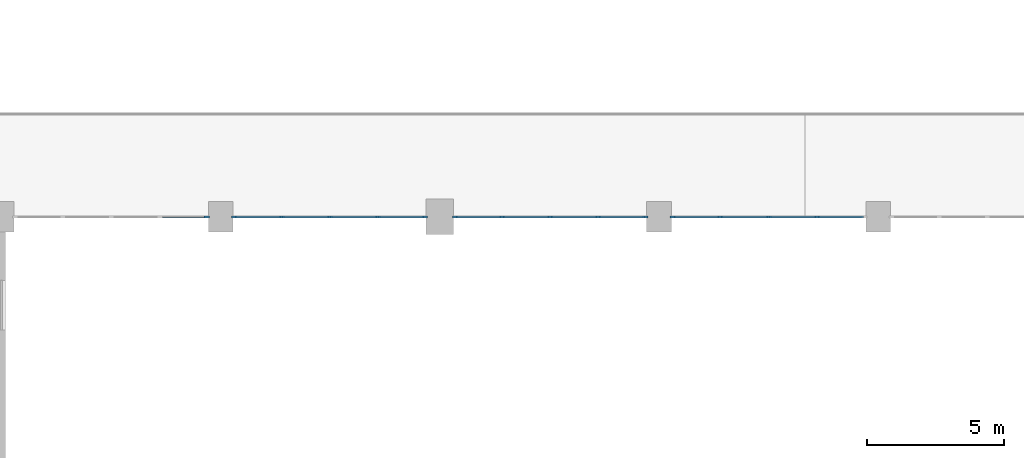
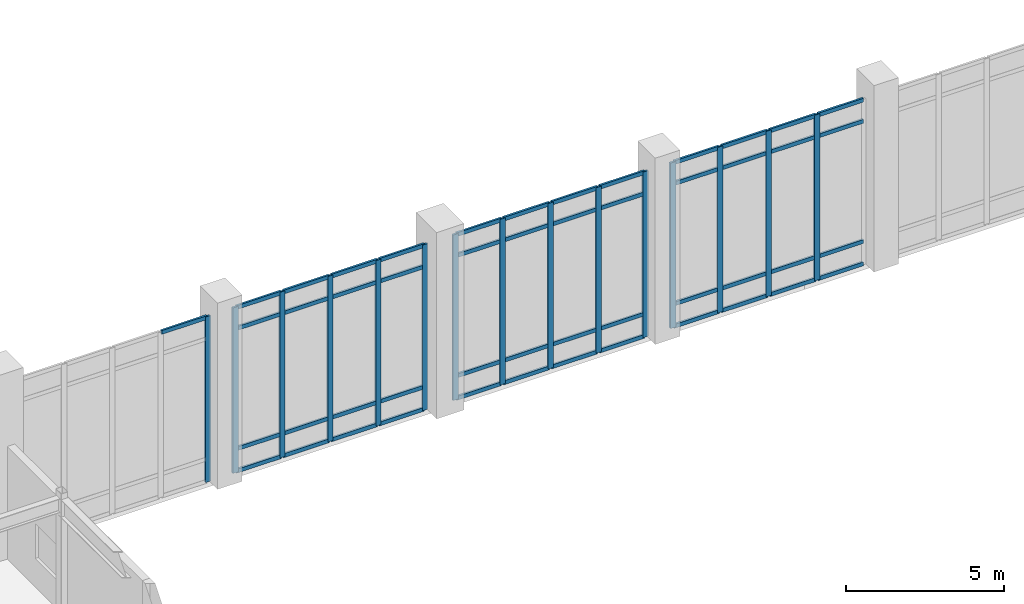
# One storey, part 19 of 84: 64 members, 4 elements without a shape of their own.
"""IFC4 building model written with IfcOpenShell, lengths in metres."""

from ifc_helpers import new_model, si_unit, direction, frame, origin, origin_2d, place, context, subcontext, project, spatial, rectangle, extrude, material, layer, layer_set, material_profile, profile_set, type_object, element, aggregate, save


model = new_model("IFC4")

# Units and contexts
model_context = context("Model", 3, precision=1e-05, world=origin(), true_north=direction((0.0, 1.0)))
body_context = subcontext(model_context, "Body", "Model", "MODEL_VIEW")
ifc_project = project(units=[si_unit("LENGTHUNIT", "METRE"), si_unit("AREAUNIT", "SQUARE_METRE"), si_unit("VOLUMEUNIT", "CUBIC_METRE"), si_unit("PLANEANGLEUNIT", "RADIAN"), si_unit("MASSUNIT", "GRAM", prefix="KILO")], contexts=[model_context])

# Site, building, storey
site_placement = place(None, origin())
site = spatial("IfcSite", under=ifc_project, at=site_placement, CompositionType="ELEMENT")
building_placement = place(site_placement, origin())
building = spatial("IfcBuilding", under=site, at=building_placement, Name="Tlacozan Convention Centre", CompositionType="ELEMENT")
storey_placement = place(building_placement, frame((0.0, 0.0, 6.0)))
storey = spatial("IfcBuildingStorey", under=building, at=storey_placement, Name="L01", CompositionType="ELEMENT", Elevation=6.0)

# Curtain wall, member
ifc_material = material(Name="Dark Bronze Anodised Aluminium", Category="aluminium")
ifc_layer = layer(ifc_material, 0.199951171875)
ifc_layer_set = layer_set([ifc_layer], Name="Dark Bronze Anodised Aluminium")
curtain_wall_type = type_object("IfcCurtainWallType", Name="Exhibition Clerestory Curtain Wall CW10", PredefinedType="NOTDEFINED", material=ifc_layer_set)
curtain_wall_1_placement = place(storey_placement, origin())
curtain_wall_1 = element("IfcCurtainWall", 1, at=curtain_wall_1_placement, inside=storey, type_object=curtain_wall_type, Name="L01 CW-10 Run 13", PredefinedType="NOTDEFINED")
ifc_material_profile_1 = material_profile(ifc_material, rectangle(XDim=0.074951171875, YDim=0.199951171875, at=origin_2d()), Name="ALU 75x200")
ifc_profile_set_1 = profile_set([ifc_material_profile_1], Name="Dark Bronze Anodised Aluminium")
member_type_1 = type_object("IfcMemberType", Name="Curtain Wall Heavy Mullion 75x200", PredefinedType="MULLION", material=ifc_profile_set_1)
member_1_placement = place(storey_placement, frame((39.49755859375, 62.0, 0.0), z_axis=(0.0, 0.0, 1.0), x_axis=(0.0, 1.0, 0.0)))
member_1 = element("IfcMember", 2, at=member_1_placement, type_object=member_type_1, Name="CW-10 mullion 5", PredefinedType="MULLION", context=body_context, shape_type="SweptSolid", body=[
    extrude(rectangle(XDim=0.074951171875, YDim=0.199951171875, at=origin_2d()), origin(), (0.0, 0.0, 1.0), 6.39990234375),
])

# Curtain wall, members
curtain_wall_2_placement = place(storey_placement, origin())
curtain_wall_2 = element("IfcCurtainWall", 3, at=curtain_wall_2_placement, inside=storey, type_object=curtain_wall_type, Name="L01 CW-10 Run 14", PredefinedType="NOTDEFINED")
member_2_placement = place(storey_placement, frame((40.50244140625, 62.0, 0.0), z_axis=(0.0, 0.0, 1.0), x_axis=(0.0, 1.0, 0.0)))
member_2 = element("IfcMember", 4, at=member_2_placement, type_object=member_type_1, Name="CW-10 mullion 1", PredefinedType="MULLION", context=body_context, shape_type="SweptSolid", body=[
    extrude(rectangle(XDim=0.074951171875, YDim=0.199951171875, at=origin_2d()), origin(), (0.0, 0.0, 1.0), 6.39990234375),
])
member_3_placement = place(storey_placement, frame((42.219970703125, 62.0, 0.0), z_axis=(0.0, 0.0, 1.0), x_axis=(0.0, 1.0, 0.0)))
member_3 = element("IfcMember", 5, at=member_3_placement, type_object=member_type_1, Name="CW-10 mullion 2", PredefinedType="MULLION", context=body_context, shape_type="SweptSolid", body=[
    extrude(rectangle(XDim=0.074951171875, YDim=0.199951171875, at=origin_2d()), origin(), (0.0, 0.0, 1.0), 6.39990234375),
])
member_4_placement = place(storey_placement, frame((43.97509765625, 62.0, 0.0), z_axis=(0.0, 0.0, 1.0), x_axis=(0.0, 1.0, 0.0)))
member_4 = element("IfcMember", 6, at=member_4_placement, type_object=member_type_1, Name="CW-10 mullion 3", PredefinedType="MULLION", context=body_context, shape_type="SweptSolid", body=[
    extrude(rectangle(XDim=0.074951171875, YDim=0.199951171875, at=origin_2d()), origin(), (0.0, 0.0, 1.0), 6.39990234375),
])
member_5_placement = place(storey_placement, frame((45.72998046875, 62.0, 0.0), z_axis=(0.0, 0.0, 1.0), x_axis=(0.0, 1.0, 0.0)))
member_5 = element("IfcMember", 7, at=member_5_placement, type_object=member_type_1, Name="CW-10 mullion 4", PredefinedType="MULLION", context=body_context, shape_type="SweptSolid", body=[
    extrude(rectangle(XDim=0.074951171875, YDim=0.199951171875, at=origin_2d()), origin(), (0.0, 0.0, 1.0), 6.39990234375),
])
member_6_placement = place(storey_placement, frame((47.447509765625, 62.0, 0.0), z_axis=(0.0, 0.0, 1.0), x_axis=(0.0, 1.0, 0.0)))
member_6 = element("IfcMember", 8, at=member_6_placement, type_object=member_type_1, Name="CW-10 mullion 5", PredefinedType="MULLION", context=body_context, shape_type="SweptSolid", body=[
    extrude(rectangle(XDim=0.074951171875, YDim=0.199951171875, at=origin_2d()), origin(), (0.0, 0.0, 1.0), 6.39990234375),
])

curtain_wall_3_placement = place(storey_placement, origin())
curtain_wall_3 = element("IfcCurtainWall", 9, at=curtain_wall_3_placement, inside=storey, type_object=curtain_wall_type, Name="L01 CW-10 Run 15", PredefinedType="NOTDEFINED")
member_7_placement = place(storey_placement, frame((48.552490234375, 62.0, 0.0), z_axis=(0.0, 0.0, 1.0), x_axis=(0.0, 1.0, 0.0)))
member_7 = element("IfcMember", 10, at=member_7_placement, type_object=member_type_1, Name="CW-10 mullion 1", PredefinedType="MULLION", context=body_context, shape_type="SweptSolid", body=[
    extrude(rectangle(XDim=0.074951171875, YDim=0.199951171875, at=origin_2d()), origin(), (0.0, 0.0, 1.0), 6.39990234375),
])
member_8_placement = place(storey_placement, frame((50.27001953125, 62.0, 0.0), z_axis=(0.0, 0.0, 1.0), x_axis=(0.0, 1.0, 0.0)))
member_8 = element("IfcMember", 11, at=member_8_placement, type_object=member_type_1, Name="CW-10 mullion 2", PredefinedType="MULLION", context=body_context, shape_type="SweptSolid", body=[
    extrude(rectangle(XDim=0.074951171875, YDim=0.199951171875, at=origin_2d()), origin(), (0.0, 0.0, 1.0), 6.39990234375),
])
member_9_placement = place(storey_placement, frame((52.02490234375, 62.0, 0.0), z_axis=(0.0, 0.0, 1.0), x_axis=(0.0, 1.0, 0.0)))
member_9 = element("IfcMember", 12, at=member_9_placement, type_object=member_type_1, Name="CW-10 mullion 3", PredefinedType="MULLION", context=body_context, shape_type="SweptSolid", body=[
    extrude(rectangle(XDim=0.074951171875, YDim=0.199951171875, at=origin_2d()), origin(), (0.0, 0.0, 1.0), 6.39990234375),
])
member_10_placement = place(storey_placement, frame((53.780029296875, 62.0, 0.0), z_axis=(0.0, 0.0, 1.0), x_axis=(0.0, 1.0, 0.0)))
member_10 = element("IfcMember", 13, at=member_10_placement, type_object=member_type_1, Name="CW-10 mullion 4", PredefinedType="MULLION", context=body_context, shape_type="SweptSolid", body=[
    extrude(rectangle(XDim=0.074951171875, YDim=0.199951171875, at=origin_2d()), origin(), (0.0, 0.0, 1.0), 6.39990234375),
])
member_11_placement = place(storey_placement, frame((55.49755859375, 62.0, 0.0), z_axis=(0.0, 0.0, 1.0), x_axis=(0.0, 1.0, 0.0)))
member_11 = element("IfcMember", 14, at=member_11_placement, type_object=member_type_1, Name="CW-10 mullion 5", PredefinedType="MULLION", context=body_context, shape_type="SweptSolid", body=[
    extrude(rectangle(XDim=0.074951171875, YDim=0.199951171875, at=origin_2d()), origin(), (0.0, 0.0, 1.0), 6.39990234375),
])

curtain_wall_4_placement = place(storey_placement, origin())
curtain_wall_4 = element("IfcCurtainWall", 15, at=curtain_wall_4_placement, inside=storey, type_object=curtain_wall_type, Name="L01 CW-10 Run 16", PredefinedType="NOTDEFINED")
member_12_placement = place(storey_placement, frame((56.50244140625, 62.0, 0.0), z_axis=(0.0, 0.0, 1.0), x_axis=(0.0, 1.0, 0.0)))
member_12 = element("IfcMember", 16, at=member_12_placement, type_object=member_type_1, Name="CW-10 mullion 1", PredefinedType="MULLION", context=body_context, shape_type="SweptSolid", body=[
    extrude(rectangle(XDim=0.074951171875, YDim=0.199951171875, at=origin_2d()), origin(), (0.0, 0.0, 1.0), 6.39990234375),
])
member_13_placement = place(storey_placement, frame((58.232421875, 62.0, 0.0), z_axis=(0.0, 0.0, 1.0), x_axis=(0.0, 1.0, 0.0)))
member_13 = element("IfcMember", 17, at=member_13_placement, type_object=member_type_1, Name="CW-10 mullion 2", PredefinedType="MULLION", context=body_context, shape_type="SweptSolid", body=[
    extrude(rectangle(XDim=0.074951171875, YDim=0.199951171875, at=origin_2d()), origin(), (0.0, 0.0, 1.0), 6.39990234375),
])
member_14_placement = place(storey_placement, frame((60.0, 62.0, 0.0), z_axis=(0.0, 0.0, 1.0), x_axis=(0.0, 1.0, 0.0)))
member_14 = element("IfcMember", 18, at=member_14_placement, type_object=member_type_1, Name="CW-10 mullion 3", PredefinedType="MULLION", context=body_context, shape_type="SweptSolid", body=[
    extrude(rectangle(XDim=0.074951171875, YDim=0.199951171875, at=origin_2d()), origin(), (0.0, 0.0, 1.0), 6.39990234375),
])
member_15_placement = place(storey_placement, frame((61.767578125, 62.0, 0.0), z_axis=(0.0, 0.0, 1.0), x_axis=(0.0, 1.0, 0.0)))
member_15 = element("IfcMember", 19, at=member_15_placement, type_object=member_type_1, Name="CW-10 mullion 4", PredefinedType="MULLION", context=body_context, shape_type="SweptSolid", body=[
    extrude(rectangle(XDim=0.074951171875, YDim=0.199951171875, at=origin_2d()), origin(), (0.0, 0.0, 1.0), 6.39990234375),
])

# Member
ifc_material_profile_2 = material_profile(ifc_material, rectangle(XDim=0.074951171875, YDim=0.14990234375, at=origin_2d()), Name="ALU 75x150")
ifc_profile_set_2 = profile_set([ifc_material_profile_2], Name="Dark Bronze Anodised Aluminium")
member_type_2 = type_object("IfcMemberType", Name="Curtain Wall Heavy Transom 75x150", PredefinedType="USERDEFINED", material=ifc_profile_set_2)
member_16_placement = place(storey_placement, frame((37.804931640625, 62.0, 6.362548828125), z_axis=(1.0, 0.0, 0.0), x_axis=(0.0, 1.0, 0.0)))
member_16 = element("IfcMember", 20, at=member_16_placement, type_object=member_type_2, Name="CW-10 transom 4.4", ObjectType="TRANSOM", PredefinedType="USERDEFINED", context=body_context, shape_type="SweptSolid", body=[
    extrude(rectangle(XDim=0.074951171875, YDim=0.14990234375, at=origin_2d()), origin(), (0.0, 0.0, 1.0), 1.655029296875),
])

aggregate(curtain_wall_1, [member_1, member_16])

member_17_placement = place(storey_placement, frame((40.5400390625, 62.0, 0.03759765625), z_axis=(1.0, 0.0, 0.0), x_axis=(0.0, 1.0, 0.0)))
member_17 = element("IfcMember", 21, at=member_17_placement, type_object=member_type_2, Name="CW-10 transom 1.1", ObjectType="TRANSOM", PredefinedType="USERDEFINED", context=body_context, shape_type="SweptSolid", body=[
    extrude(rectangle(XDim=0.074951171875, YDim=0.14990234375, at=origin_2d()), origin(), (0.0, 0.0, 1.0), 1.642578125),
])

member_18_placement = place(storey_placement, frame((40.5400390625, 62.0, 0.89990234375), z_axis=(1.0, 0.0, 0.0), x_axis=(0.0, 1.0, 0.0)))
member_18 = element("IfcMember", 22, at=member_18_placement, type_object=member_type_2, Name="CW-10 transom 1.2", ObjectType="TRANSOM", PredefinedType="USERDEFINED", context=body_context, shape_type="SweptSolid", body=[
    extrude(rectangle(XDim=0.074951171875, YDim=0.14990234375, at=origin_2d()), origin(), (0.0, 0.0, 1.0), 1.642578125),
])

member_19_placement = place(storey_placement, frame((40.5400390625, 62.0, 5.550048828125), z_axis=(1.0, 0.0, 0.0), x_axis=(0.0, 1.0, 0.0)))
member_19 = element("IfcMember", 23, at=member_19_placement, type_object=member_type_2, Name="CW-10 transom 1.3", ObjectType="TRANSOM", PredefinedType="USERDEFINED", context=body_context, shape_type="SweptSolid", body=[
    extrude(rectangle(XDim=0.074951171875, YDim=0.14990234375, at=origin_2d()), origin(), (0.0, 0.0, 1.0), 1.642578125),
])

member_20_placement = place(storey_placement, frame((40.5400390625, 62.0, 6.362548828125), z_axis=(1.0, 0.0, 0.0), x_axis=(0.0, 1.0, 0.0)))
member_20 = element("IfcMember", 24, at=member_20_placement, type_object=member_type_2, Name="CW-10 transom 1.4", ObjectType="TRANSOM", PredefinedType="USERDEFINED", context=body_context, shape_type="SweptSolid", body=[
    extrude(rectangle(XDim=0.074951171875, YDim=0.14990234375, at=origin_2d()), origin(), (0.0, 0.0, 1.0), 1.642578125),
])

member_21_placement = place(storey_placement, frame((42.257568359375, 62.0, 0.03759765625), z_axis=(1.0, 0.0, 0.0), x_axis=(0.0, 1.0, 0.0)))
member_21 = element("IfcMember", 25, at=member_21_placement, type_object=member_type_2, Name="CW-10 transom 2.1", ObjectType="TRANSOM", PredefinedType="USERDEFINED", context=body_context, shape_type="SweptSolid", body=[
    extrude(rectangle(XDim=0.074951171875, YDim=0.14990234375, at=origin_2d()), origin(), (0.0, 0.0, 1.0), 1.679931640625),
])

member_22_placement = place(storey_placement, frame((42.257568359375, 62.0, 0.89990234375), z_axis=(1.0, 0.0, 0.0), x_axis=(0.0, 1.0, 0.0)))
member_22 = element("IfcMember", 26, at=member_22_placement, type_object=member_type_2, Name="CW-10 transom 2.2", ObjectType="TRANSOM", PredefinedType="USERDEFINED", context=body_context, shape_type="SweptSolid", body=[
    extrude(rectangle(XDim=0.074951171875, YDim=0.14990234375, at=origin_2d()), origin(), (0.0, 0.0, 1.0), 1.679931640625),
])

member_23_placement = place(storey_placement, frame((42.257568359375, 62.0, 5.550048828125), z_axis=(1.0, 0.0, 0.0), x_axis=(0.0, 1.0, 0.0)))
member_23 = element("IfcMember", 27, at=member_23_placement, type_object=member_type_2, Name="CW-10 transom 2.3", ObjectType="TRANSOM", PredefinedType="USERDEFINED", context=body_context, shape_type="SweptSolid", body=[
    extrude(rectangle(XDim=0.074951171875, YDim=0.14990234375, at=origin_2d()), origin(), (0.0, 0.0, 1.0), 1.679931640625),
])

member_24_placement = place(storey_placement, frame((42.257568359375, 62.0, 6.362548828125), z_axis=(1.0, 0.0, 0.0), x_axis=(0.0, 1.0, 0.0)))
member_24 = element("IfcMember", 28, at=member_24_placement, type_object=member_type_2, Name="CW-10 transom 2.4", ObjectType="TRANSOM", PredefinedType="USERDEFINED", context=body_context, shape_type="SweptSolid", body=[
    extrude(rectangle(XDim=0.074951171875, YDim=0.14990234375, at=origin_2d()), origin(), (0.0, 0.0, 1.0), 1.679931640625),
])

member_25_placement = place(storey_placement, frame((44.012451171875, 62.0, 0.03759765625), z_axis=(1.0, 0.0, 0.0), x_axis=(0.0, 1.0, 0.0)))
member_25 = element("IfcMember", 29, at=member_25_placement, type_object=member_type_2, Name="CW-10 transom 3.1", ObjectType="TRANSOM", PredefinedType="USERDEFINED", context=body_context, shape_type="SweptSolid", body=[
    extrude(rectangle(XDim=0.074951171875, YDim=0.14990234375, at=origin_2d()), origin(), (0.0, 0.0, 1.0), 1.679931640625),
])

member_26_placement = place(storey_placement, frame((44.012451171875, 62.0, 0.89990234375), z_axis=(1.0, 0.0, 0.0), x_axis=(0.0, 1.0, 0.0)))
member_26 = element("IfcMember", 30, at=member_26_placement, type_object=member_type_2, Name="CW-10 transom 3.2", ObjectType="TRANSOM", PredefinedType="USERDEFINED", context=body_context, shape_type="SweptSolid", body=[
    extrude(rectangle(XDim=0.074951171875, YDim=0.14990234375, at=origin_2d()), origin(), (0.0, 0.0, 1.0), 1.679931640625),
])

member_27_placement = place(storey_placement, frame((44.012451171875, 62.0, 5.550048828125), z_axis=(1.0, 0.0, 0.0), x_axis=(0.0, 1.0, 0.0)))
member_27 = element("IfcMember", 31, at=member_27_placement, type_object=member_type_2, Name="CW-10 transom 3.3", ObjectType="TRANSOM", PredefinedType="USERDEFINED", context=body_context, shape_type="SweptSolid", body=[
    extrude(rectangle(XDim=0.074951171875, YDim=0.14990234375, at=origin_2d()), origin(), (0.0, 0.0, 1.0), 1.679931640625),
])

member_28_placement = place(storey_placement, frame((44.012451171875, 62.0, 6.362548828125), z_axis=(1.0, 0.0, 0.0), x_axis=(0.0, 1.0, 0.0)))
member_28 = element("IfcMember", 32, at=member_28_placement, type_object=member_type_2, Name="CW-10 transom 3.4", ObjectType="TRANSOM", PredefinedType="USERDEFINED", context=body_context, shape_type="SweptSolid", body=[
    extrude(rectangle(XDim=0.074951171875, YDim=0.14990234375, at=origin_2d()), origin(), (0.0, 0.0, 1.0), 1.679931640625),
])

member_29_placement = place(storey_placement, frame((45.767578125, 62.0, 0.03759765625), z_axis=(1.0, 0.0, 0.0), x_axis=(0.0, 1.0, 0.0)))
member_29 = element("IfcMember", 33, at=member_29_placement, type_object=member_type_2, Name="CW-10 transom 4.1", ObjectType="TRANSOM", PredefinedType="USERDEFINED", context=body_context, shape_type="SweptSolid", body=[
    extrude(rectangle(XDim=0.074951171875, YDim=0.14990234375, at=origin_2d()), origin(), (0.0, 0.0, 1.0), 1.642333984375),
])

member_30_placement = place(storey_placement, frame((45.767578125, 62.0, 0.89990234375), z_axis=(1.0, 0.0, 0.0), x_axis=(0.0, 1.0, 0.0)))
member_30 = element("IfcMember", 34, at=member_30_placement, type_object=member_type_2, Name="CW-10 transom 4.2", ObjectType="TRANSOM", PredefinedType="USERDEFINED", context=body_context, shape_type="SweptSolid", body=[
    extrude(rectangle(XDim=0.074951171875, YDim=0.14990234375, at=origin_2d()), origin(), (0.0, 0.0, 1.0), 1.642333984375),
])

member_31_placement = place(storey_placement, frame((45.767578125, 62.0, 5.550048828125), z_axis=(1.0, 0.0, 0.0), x_axis=(0.0, 1.0, 0.0)))
member_31 = element("IfcMember", 35, at=member_31_placement, type_object=member_type_2, Name="CW-10 transom 4.3", ObjectType="TRANSOM", PredefinedType="USERDEFINED", context=body_context, shape_type="SweptSolid", body=[
    extrude(rectangle(XDim=0.074951171875, YDim=0.14990234375, at=origin_2d()), origin(), (0.0, 0.0, 1.0), 1.642333984375),
])

member_32_placement = place(storey_placement, frame((45.767578125, 62.0, 6.362548828125), z_axis=(1.0, 0.0, 0.0), x_axis=(0.0, 1.0, 0.0)))
member_32 = element("IfcMember", 36, at=member_32_placement, type_object=member_type_2, Name="CW-10 transom 4.4", ObjectType="TRANSOM", PredefinedType="USERDEFINED", context=body_context, shape_type="SweptSolid", body=[
    extrude(rectangle(XDim=0.074951171875, YDim=0.14990234375, at=origin_2d()), origin(), (0.0, 0.0, 1.0), 1.642333984375),
])

aggregate(curtain_wall_2, [member_2, member_3, member_4, member_5, member_6, member_17, member_18, member_19, member_20, member_21, member_22, member_23, member_24, member_25, member_26, member_27, member_28, member_29, member_30, member_31, member_32])

member_33_placement = place(storey_placement, frame((48.590087890625, 62.0, 0.03759765625), z_axis=(1.0, 0.0, 0.0), x_axis=(0.0, 1.0, 0.0)))
member_33 = element("IfcMember", 37, at=member_33_placement, type_object=member_type_2, Name="CW-10 transom 1.1", ObjectType="TRANSOM", PredefinedType="USERDEFINED", context=body_context, shape_type="SweptSolid", body=[
    extrude(rectangle(XDim=0.074951171875, YDim=0.14990234375, at=origin_2d()), origin(), (0.0, 0.0, 1.0), 1.642333984375),
])

member_34_placement = place(storey_placement, frame((48.590087890625, 62.0, 0.89990234375), z_axis=(1.0, 0.0, 0.0), x_axis=(0.0, 1.0, 0.0)))
member_34 = element("IfcMember", 38, at=member_34_placement, type_object=member_type_2, Name="CW-10 transom 1.2", ObjectType="TRANSOM", PredefinedType="USERDEFINED", context=body_context, shape_type="SweptSolid", body=[
    extrude(rectangle(XDim=0.074951171875, YDim=0.14990234375, at=origin_2d()), origin(), (0.0, 0.0, 1.0), 1.642333984375),
])

member_35_placement = place(storey_placement, frame((48.590087890625, 62.0, 5.550048828125), z_axis=(1.0, 0.0, 0.0), x_axis=(0.0, 1.0, 0.0)))
member_35 = element("IfcMember", 39, at=member_35_placement, type_object=member_type_2, Name="CW-10 transom 1.3", ObjectType="TRANSOM", PredefinedType="USERDEFINED", context=body_context, shape_type="SweptSolid", body=[
    extrude(rectangle(XDim=0.074951171875, YDim=0.14990234375, at=origin_2d()), origin(), (0.0, 0.0, 1.0), 1.642333984375),
])

member_36_placement = place(storey_placement, frame((48.590087890625, 62.0, 6.362548828125), z_axis=(1.0, 0.0, 0.0), x_axis=(0.0, 1.0, 0.0)))
member_36 = element("IfcMember", 40, at=member_36_placement, type_object=member_type_2, Name="CW-10 transom 1.4", ObjectType="TRANSOM", PredefinedType="USERDEFINED", context=body_context, shape_type="SweptSolid", body=[
    extrude(rectangle(XDim=0.074951171875, YDim=0.14990234375, at=origin_2d()), origin(), (0.0, 0.0, 1.0), 1.642333984375),
])

member_37_placement = place(storey_placement, frame((50.3076171875, 62.0, 0.03759765625), z_axis=(1.0, 0.0, 0.0), x_axis=(0.0, 1.0, 0.0)))
member_37 = element("IfcMember", 41, at=member_37_placement, type_object=member_type_2, Name="CW-10 transom 2.1", ObjectType="TRANSOM", PredefinedType="USERDEFINED", context=body_context, shape_type="SweptSolid", body=[
    extrude(rectangle(XDim=0.074951171875, YDim=0.14990234375, at=origin_2d()), origin(), (0.0, 0.0, 1.0), 1.679931640625),
])

member_38_placement = place(storey_placement, frame((50.3076171875, 62.0, 0.89990234375), z_axis=(1.0, 0.0, 0.0), x_axis=(0.0, 1.0, 0.0)))
member_38 = element("IfcMember", 42, at=member_38_placement, type_object=member_type_2, Name="CW-10 transom 2.2", ObjectType="TRANSOM", PredefinedType="USERDEFINED", context=body_context, shape_type="SweptSolid", body=[
    extrude(rectangle(XDim=0.074951171875, YDim=0.14990234375, at=origin_2d()), origin(), (0.0, 0.0, 1.0), 1.679931640625),
])

member_39_placement = place(storey_placement, frame((50.3076171875, 62.0, 5.550048828125), z_axis=(1.0, 0.0, 0.0), x_axis=(0.0, 1.0, 0.0)))
member_39 = element("IfcMember", 43, at=member_39_placement, type_object=member_type_2, Name="CW-10 transom 2.3", ObjectType="TRANSOM", PredefinedType="USERDEFINED", context=body_context, shape_type="SweptSolid", body=[
    extrude(rectangle(XDim=0.074951171875, YDim=0.14990234375, at=origin_2d()), origin(), (0.0, 0.0, 1.0), 1.679931640625),
])

member_40_placement = place(storey_placement, frame((50.3076171875, 62.0, 6.362548828125), z_axis=(1.0, 0.0, 0.0), x_axis=(0.0, 1.0, 0.0)))
member_40 = element("IfcMember", 44, at=member_40_placement, type_object=member_type_2, Name="CW-10 transom 2.4", ObjectType="TRANSOM", PredefinedType="USERDEFINED", context=body_context, shape_type="SweptSolid", body=[
    extrude(rectangle(XDim=0.074951171875, YDim=0.14990234375, at=origin_2d()), origin(), (0.0, 0.0, 1.0), 1.679931640625),
])

member_41_placement = place(storey_placement, frame((52.0625, 62.0, 0.03759765625), z_axis=(1.0, 0.0, 0.0), x_axis=(0.0, 1.0, 0.0)))
member_41 = element("IfcMember", 45, at=member_41_placement, type_object=member_type_2, Name="CW-10 transom 3.1", ObjectType="TRANSOM", PredefinedType="USERDEFINED", context=body_context, shape_type="SweptSolid", body=[
    extrude(rectangle(XDim=0.074951171875, YDim=0.14990234375, at=origin_2d()), origin(), (0.0, 0.0, 1.0), 1.679931640625),
])

member_42_placement = place(storey_placement, frame((52.0625, 62.0, 0.89990234375), z_axis=(1.0, 0.0, 0.0), x_axis=(0.0, 1.0, 0.0)))
member_42 = element("IfcMember", 46, at=member_42_placement, type_object=member_type_2, Name="CW-10 transom 3.2", ObjectType="TRANSOM", PredefinedType="USERDEFINED", context=body_context, shape_type="SweptSolid", body=[
    extrude(rectangle(XDim=0.074951171875, YDim=0.14990234375, at=origin_2d()), origin(), (0.0, 0.0, 1.0), 1.679931640625),
])

member_43_placement = place(storey_placement, frame((52.0625, 62.0, 5.550048828125), z_axis=(1.0, 0.0, 0.0), x_axis=(0.0, 1.0, 0.0)))
member_43 = element("IfcMember", 47, at=member_43_placement, type_object=member_type_2, Name="CW-10 transom 3.3", ObjectType="TRANSOM", PredefinedType="USERDEFINED", context=body_context, shape_type="SweptSolid", body=[
    extrude(rectangle(XDim=0.074951171875, YDim=0.14990234375, at=origin_2d()), origin(), (0.0, 0.0, 1.0), 1.679931640625),
])

member_44_placement = place(storey_placement, frame((52.0625, 62.0, 6.362548828125), z_axis=(1.0, 0.0, 0.0), x_axis=(0.0, 1.0, 0.0)))
member_44 = element("IfcMember", 48, at=member_44_placement, type_object=member_type_2, Name="CW-10 transom 3.4", ObjectType="TRANSOM", PredefinedType="USERDEFINED", context=body_context, shape_type="SweptSolid", body=[
    extrude(rectangle(XDim=0.074951171875, YDim=0.14990234375, at=origin_2d()), origin(), (0.0, 0.0, 1.0), 1.679931640625),
])

member_45_placement = place(storey_placement, frame((53.8173828125, 62.0, 0.03759765625), z_axis=(1.0, 0.0, 0.0), x_axis=(0.0, 1.0, 0.0)))
member_45 = element("IfcMember", 49, at=member_45_placement, type_object=member_type_2, Name="CW-10 transom 4.1", ObjectType="TRANSOM", PredefinedType="USERDEFINED", context=body_context, shape_type="SweptSolid", body=[
    extrude(rectangle(XDim=0.074951171875, YDim=0.14990234375, at=origin_2d()), origin(), (0.0, 0.0, 1.0), 1.642578125),
])

member_46_placement = place(storey_placement, frame((53.8173828125, 62.0, 0.89990234375), z_axis=(1.0, 0.0, 0.0), x_axis=(0.0, 1.0, 0.0)))
member_46 = element("IfcMember", 50, at=member_46_placement, type_object=member_type_2, Name="CW-10 transom 4.2", ObjectType="TRANSOM", PredefinedType="USERDEFINED", context=body_context, shape_type="SweptSolid", body=[
    extrude(rectangle(XDim=0.074951171875, YDim=0.14990234375, at=origin_2d()), origin(), (0.0, 0.0, 1.0), 1.642578125),
])

member_47_placement = place(storey_placement, frame((53.8173828125, 62.0, 5.550048828125), z_axis=(1.0, 0.0, 0.0), x_axis=(0.0, 1.0, 0.0)))
member_47 = element("IfcMember", 51, at=member_47_placement, type_object=member_type_2, Name="CW-10 transom 4.3", ObjectType="TRANSOM", PredefinedType="USERDEFINED", context=body_context, shape_type="SweptSolid", body=[
    extrude(rectangle(XDim=0.074951171875, YDim=0.14990234375, at=origin_2d()), origin(), (0.0, 0.0, 1.0), 1.642578125),
])

member_48_placement = place(storey_placement, frame((53.8173828125, 62.0, 6.362548828125), z_axis=(1.0, 0.0, 0.0), x_axis=(0.0, 1.0, 0.0)))
member_48 = element("IfcMember", 52, at=member_48_placement, type_object=member_type_2, Name="CW-10 transom 4.4", ObjectType="TRANSOM", PredefinedType="USERDEFINED", context=body_context, shape_type="SweptSolid", body=[
    extrude(rectangle(XDim=0.074951171875, YDim=0.14990234375, at=origin_2d()), origin(), (0.0, 0.0, 1.0), 1.642578125),
])

aggregate(curtain_wall_3, [member_7, member_8, member_9, member_10, member_11, member_33, member_34, member_35, member_36, member_37, member_38, member_39, member_40, member_41, member_42, member_43, member_44, member_45, member_46, member_47, member_48])

member_49_placement = place(storey_placement, frame((56.5400390625, 62.0, 0.03759765625), z_axis=(1.0, 0.0, 0.0), x_axis=(0.0, 1.0, 0.0)))
member_49 = element("IfcMember", 53, at=member_49_placement, type_object=member_type_2, Name="CW-10 transom 1.1", ObjectType="TRANSOM", PredefinedType="USERDEFINED", context=body_context, shape_type="SweptSolid", body=[
    extrude(rectangle(XDim=0.074951171875, YDim=0.14990234375, at=origin_2d()), origin(), (0.0, 0.0, 1.0), 1.655029296875),
])

member_50_placement = place(storey_placement, frame((56.5400390625, 62.0, 0.89990234375), z_axis=(1.0, 0.0, 0.0), x_axis=(0.0, 1.0, 0.0)))
member_50 = element("IfcMember", 54, at=member_50_placement, type_object=member_type_2, Name="CW-10 transom 1.2", ObjectType="TRANSOM", PredefinedType="USERDEFINED", context=body_context, shape_type="SweptSolid", body=[
    extrude(rectangle(XDim=0.074951171875, YDim=0.14990234375, at=origin_2d()), origin(), (0.0, 0.0, 1.0), 1.655029296875),
])

member_51_placement = place(storey_placement, frame((56.5400390625, 62.0, 5.550048828125), z_axis=(1.0, 0.0, 0.0), x_axis=(0.0, 1.0, 0.0)))
member_51 = element("IfcMember", 55, at=member_51_placement, type_object=member_type_2, Name="CW-10 transom 1.3", ObjectType="TRANSOM", PredefinedType="USERDEFINED", context=body_context, shape_type="SweptSolid", body=[
    extrude(rectangle(XDim=0.074951171875, YDim=0.14990234375, at=origin_2d()), origin(), (0.0, 0.0, 1.0), 1.655029296875),
])

member_52_placement = place(storey_placement, frame((56.5400390625, 62.0, 6.362548828125), z_axis=(1.0, 0.0, 0.0), x_axis=(0.0, 1.0, 0.0)))
member_52 = element("IfcMember", 56, at=member_52_placement, type_object=member_type_2, Name="CW-10 transom 1.4", ObjectType="TRANSOM", PredefinedType="USERDEFINED", context=body_context, shape_type="SweptSolid", body=[
    extrude(rectangle(XDim=0.074951171875, YDim=0.14990234375, at=origin_2d()), origin(), (0.0, 0.0, 1.0), 1.655029296875),
])

member_53_placement = place(storey_placement, frame((58.27001953125, 62.0, 0.03759765625), z_axis=(1.0, 0.0, 0.0), x_axis=(0.0, 1.0, 0.0)))
member_53 = element("IfcMember", 57, at=member_53_placement, type_object=member_type_2, Name="CW-10 transom 2.1", ObjectType="TRANSOM", PredefinedType="USERDEFINED", context=body_context, shape_type="SweptSolid", body=[
    extrude(rectangle(XDim=0.074951171875, YDim=0.14990234375, at=origin_2d()), origin(), (0.0, 0.0, 1.0), 1.6923828125),
])

member_54_placement = place(storey_placement, frame((58.27001953125, 62.0, 0.89990234375), z_axis=(1.0, 0.0, 0.0), x_axis=(0.0, 1.0, 0.0)))
member_54 = element("IfcMember", 58, at=member_54_placement, type_object=member_type_2, Name="CW-10 transom 2.2", ObjectType="TRANSOM", PredefinedType="USERDEFINED", context=body_context, shape_type="SweptSolid", body=[
    extrude(rectangle(XDim=0.074951171875, YDim=0.14990234375, at=origin_2d()), origin(), (0.0, 0.0, 1.0), 1.6923828125),
])

member_55_placement = place(storey_placement, frame((58.27001953125, 62.0, 5.550048828125), z_axis=(1.0, 0.0, 0.0), x_axis=(0.0, 1.0, 0.0)))
member_55 = element("IfcMember", 59, at=member_55_placement, type_object=member_type_2, Name="CW-10 transom 2.3", ObjectType="TRANSOM", PredefinedType="USERDEFINED", context=body_context, shape_type="SweptSolid", body=[
    extrude(rectangle(XDim=0.074951171875, YDim=0.14990234375, at=origin_2d()), origin(), (0.0, 0.0, 1.0), 1.6923828125),
])

member_56_placement = place(storey_placement, frame((58.27001953125, 62.0, 6.362548828125), z_axis=(1.0, 0.0, 0.0), x_axis=(0.0, 1.0, 0.0)))
member_56 = element("IfcMember", 60, at=member_56_placement, type_object=member_type_2, Name="CW-10 transom 2.4", ObjectType="TRANSOM", PredefinedType="USERDEFINED", context=body_context, shape_type="SweptSolid", body=[
    extrude(rectangle(XDim=0.074951171875, YDim=0.14990234375, at=origin_2d()), origin(), (0.0, 0.0, 1.0), 1.6923828125),
])

member_57_placement = place(storey_placement, frame((60.03759765625, 62.0, 0.03759765625), z_axis=(1.0, 0.0, 0.0), x_axis=(0.0, 1.0, 0.0)))
member_57 = element("IfcMember", 61, at=member_57_placement, type_object=member_type_2, Name="CW-10 transom 3.1", ObjectType="TRANSOM", PredefinedType="USERDEFINED", context=body_context, shape_type="SweptSolid", body=[
    extrude(rectangle(XDim=0.074951171875, YDim=0.14990234375, at=origin_2d()), origin(), (0.0, 0.0, 1.0), 1.6923828125),
])

member_58_placement = place(storey_placement, frame((60.03759765625, 62.0, 0.89990234375), z_axis=(1.0, 0.0, 0.0), x_axis=(0.0, 1.0, 0.0)))
member_58 = element("IfcMember", 62, at=member_58_placement, type_object=member_type_2, Name="CW-10 transom 3.2", ObjectType="TRANSOM", PredefinedType="USERDEFINED", context=body_context, shape_type="SweptSolid", body=[
    extrude(rectangle(XDim=0.074951171875, YDim=0.14990234375, at=origin_2d()), origin(), (0.0, 0.0, 1.0), 1.6923828125),
])

member_59_placement = place(storey_placement, frame((60.03759765625, 62.0, 5.550048828125), z_axis=(1.0, 0.0, 0.0), x_axis=(0.0, 1.0, 0.0)))
member_59 = element("IfcMember", 63, at=member_59_placement, type_object=member_type_2, Name="CW-10 transom 3.3", ObjectType="TRANSOM", PredefinedType="USERDEFINED", context=body_context, shape_type="SweptSolid", body=[
    extrude(rectangle(XDim=0.074951171875, YDim=0.14990234375, at=origin_2d()), origin(), (0.0, 0.0, 1.0), 1.6923828125),
])

member_60_placement = place(storey_placement, frame((60.03759765625, 62.0, 6.362548828125), z_axis=(1.0, 0.0, 0.0), x_axis=(0.0, 1.0, 0.0)))
member_60 = element("IfcMember", 64, at=member_60_placement, type_object=member_type_2, Name="CW-10 transom 3.4", ObjectType="TRANSOM", PredefinedType="USERDEFINED", context=body_context, shape_type="SweptSolid", body=[
    extrude(rectangle(XDim=0.074951171875, YDim=0.14990234375, at=origin_2d()), origin(), (0.0, 0.0, 1.0), 1.6923828125),
])

member_61_placement = place(storey_placement, frame((61.804931640625, 62.0, 0.03759765625), z_axis=(1.0, 0.0, 0.0), x_axis=(0.0, 1.0, 0.0)))
member_61 = element("IfcMember", 65, at=member_61_placement, type_object=member_type_2, Name="CW-10 transom 4.1", ObjectType="TRANSOM", PredefinedType="USERDEFINED", context=body_context, shape_type="SweptSolid", body=[
    extrude(rectangle(XDim=0.074951171875, YDim=0.14990234375, at=origin_2d()), origin(), (0.0, 0.0, 1.0), 1.655029296875),
])

member_62_placement = place(storey_placement, frame((61.804931640625, 62.0, 0.89990234375), z_axis=(1.0, 0.0, 0.0), x_axis=(0.0, 1.0, 0.0)))
member_62 = element("IfcMember", 66, at=member_62_placement, type_object=member_type_2, Name="CW-10 transom 4.2", ObjectType="TRANSOM", PredefinedType="USERDEFINED", context=body_context, shape_type="SweptSolid", body=[
    extrude(rectangle(XDim=0.074951171875, YDim=0.14990234375, at=origin_2d()), origin(), (0.0, 0.0, 1.0), 1.655029296875),
])

member_63_placement = place(storey_placement, frame((61.804931640625, 62.0, 5.550048828125), z_axis=(1.0, 0.0, 0.0), x_axis=(0.0, 1.0, 0.0)))
member_63 = element("IfcMember", 67, at=member_63_placement, type_object=member_type_2, Name="CW-10 transom 4.3", ObjectType="TRANSOM", PredefinedType="USERDEFINED", context=body_context, shape_type="SweptSolid", body=[
    extrude(rectangle(XDim=0.074951171875, YDim=0.14990234375, at=origin_2d()), origin(), (0.0, 0.0, 1.0), 1.655029296875),
])

member_64_placement = place(storey_placement, frame((61.804931640625, 62.0, 6.362548828125), z_axis=(1.0, 0.0, 0.0), x_axis=(0.0, 1.0, 0.0)))
member_64 = element("IfcMember", 68, at=member_64_placement, type_object=member_type_2, Name="CW-10 transom 4.4", ObjectType="TRANSOM", PredefinedType="USERDEFINED", context=body_context, shape_type="SweptSolid", body=[
    extrude(rectangle(XDim=0.074951171875, YDim=0.14990234375, at=origin_2d()), origin(), (0.0, 0.0, 1.0), 1.655029296875),
])

aggregate(curtain_wall_4, [member_12, member_13, member_14, member_15, member_49, member_50, member_51, member_52, member_53, member_54, member_55, member_56, member_57, member_58, member_59, member_60, member_61, member_62, member_63, member_64])

save(model, "model.ifc")
